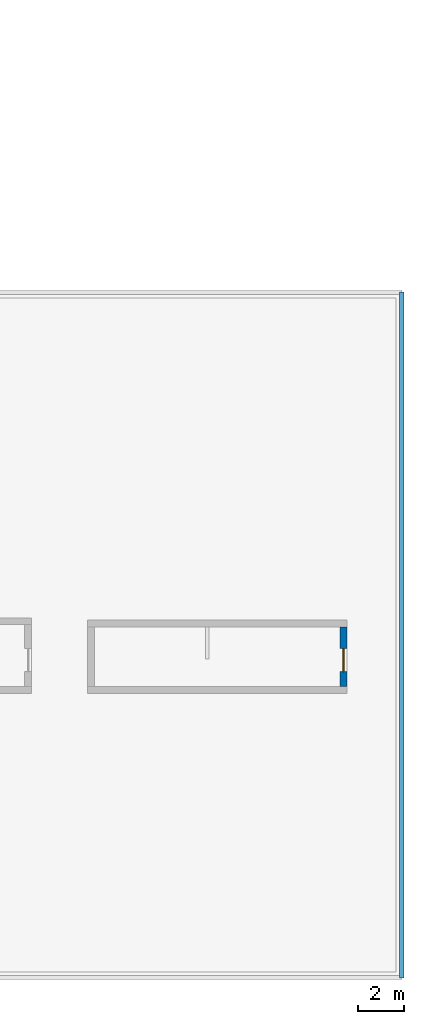
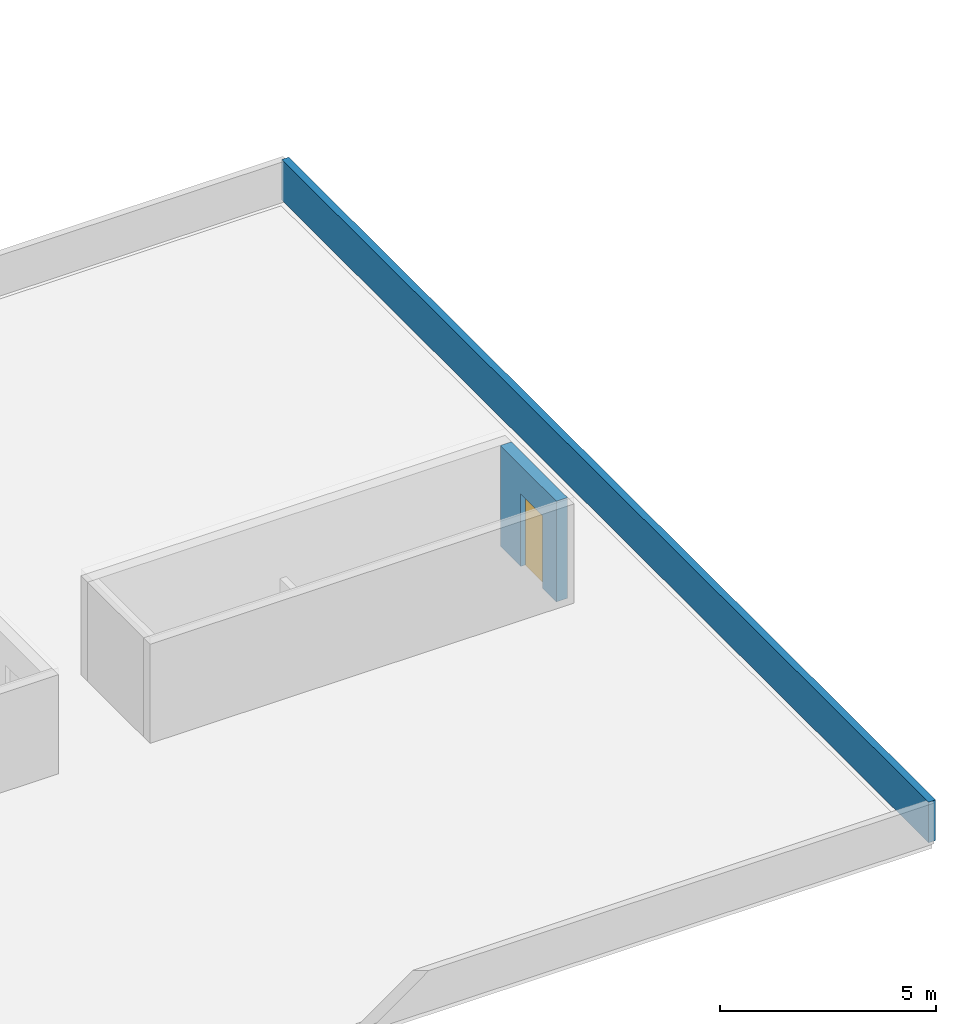
# One storey, part 13 of 17: 2 walls, 1 door, 1 opening.
"""IFC4 building model written with IfcOpenShell, lengths in metres."""

import ifcopenshell
import ifcopenshell.guid

model = None  # the IFC model being written
_history = None  # IfcOwnerHistory: only IFC2X3 demands one
_inside = {}  # id of a spatial element -> (the spatial element, [elements in it])
_under = {}  # id of a project, library or spatial element -> (it, [spatial elements below it])
_declared = {}  # id of a project -> (the project, [libraries it declares])
_typed = {}  # id of a type object -> (the type object, [elements of that type])
_made_of = {}  # id of a material, layer set ... -> (it, [elements and type objects made of it])


def new_model(schema):
    """Start an empty IFC model of exactly this schema.

    Asked for "IFC4X3", IfcOpenShell would pick the latest addendum, in which some entities
    have other attributes; the version numbers below select the first issue.
    IFC2X3 requires an IfcOwnerHistory on every rooted entity: one is made here for all.
    """
    global model, _history
    if schema == "IFC4X3":
        model = ifcopenshell.file(schema_version=(4, 3, 0, 0))
    else:
        model = ifcopenshell.file(schema=schema)
    _inside.clear()
    _under.clear()
    _declared.clear()
    _typed.clear()
    _made_of.clear()
    _history = None
    if model.schema == "IFC2X3":
        org = make("IfcOrganization", Name="unknown")
        user = make(
            "IfcPersonAndOrganization",
            ThePerson=make("IfcPerson", FamilyName="unknown"),
            TheOrganization=org,
        )
        app = make(
            "IfcApplication",
            ApplicationDeveloper=org,
            Version="unknown",
            ApplicationFullName="unknown",
            ApplicationIdentifier="unknown",
        )
        _history = make(
            "IfcOwnerHistory",
            OwningUser=user,
            OwningApplication=app,
            ChangeAction="ADDED",
            CreationDate=0,
        )
    return model


def make(cls, **values):
    """One entity of the class cls with the attributes given. An attribute that is None is left unset."""
    return model.create_entity(
        cls, **{name: value for name, value in values.items() if value is not None}
    )


def rooted(cls, **values):
    """An entity with a GlobalId (a new one), such as an element, a storey or a relation."""
    return make(cls, GlobalId=ifcopenshell.guid.new(), OwnerHistory=_history, **values)


def si_unit(unit_type, name, prefix=None):
    """IfcSIUnit, for example si_unit("LENGTHUNIT", "METRE", prefix="MILLI")."""
    return make("IfcSIUnit", UnitType=unit_type, Prefix=prefix, Name=name)


def assignment(units):
    """IfcUnitAssignment: the units of a project."""
    return None if units is None else make("IfcUnitAssignment", Units=units)


def point(xyz):
    """IfcCartesianPoint."""
    return None if xyz is None else make("IfcCartesianPoint", Coordinates=xyz)


def direction(xyz):
    """IfcDirection."""
    return None if xyz is None else make("IfcDirection", DirectionRatios=xyz)


def frame(location, z_axis=None, x_axis=None):
    """IfcAxis2Placement3D, a coordinate frame: its origin and axes. An axis left out is left unset."""
    return make(
        "IfcAxis2Placement3D",
        Location=point(location),
        Axis=direction(z_axis),
        RefDirection=direction(x_axis),
    )


def frame_2d(location, x_axis=None):
    """IfcAxis2Placement2D, a coordinate frame in the plane: its origin and x axis."""
    return make(
        "IfcAxis2Placement2D", Location=point(location), RefDirection=direction(x_axis)
    )


def origin():
    """The frame at (0, 0, 0) with its axes left unset."""
    return frame((0.0, 0.0, 0.0))


def place(relative_to, where):
    """IfcLocalPlacement: puts the frame where relative to a parent placement (None: the world)."""
    return make(
        "IfcLocalPlacement", PlacementRelTo=relative_to, RelativePlacement=where
    )


def context(
    kind, dimensions, precision=None, world=None, true_north=None, identifier=None
):
    """IfcGeometricRepresentationContext, for example the 3D "Model" context."""
    return make(
        "IfcGeometricRepresentationContext",
        ContextIdentifier=identifier,
        ContextType=kind,
        CoordinateSpaceDimension=dimensions,
        Precision=precision,
        WorldCoordinateSystem=world,
        TrueNorth=true_north,
    )


def subcontext(parent, identifier, kind, view, scale=None):
    """IfcGeometricRepresentationSubContext, for example "Body" below "Model"."""
    return make(
        "IfcGeometricRepresentationSubContext",
        ContextIdentifier=identifier,
        ContextType=kind,
        ParentContext=parent,
        TargetScale=scale,
        TargetView=view,
    )


def project(units=None, contexts=None):
    """IfcProject with its units and contexts."""
    return rooted(
        "IfcProject",
        Name="project",
        RepresentationContexts=contexts,
        UnitsInContext=assignment(units),
    )


def spatial(cls, under=None, at=None, **own):
    """A site, building, storey or space (cls), placed at a placement, below another one or the project."""
    s = rooted(cls, ObjectPlacement=at, **own)
    if under is not None:
        _under.setdefault(under.id(), (under, []))[1].append(s)
    return s


def profile(cls, at=None, kind="AREA", **sizes):
    """A parametric profile (cls). Its sizes go by their IFC names, for example OverallWidth=200.0."""
    return make(cls, ProfileType=kind, Position=at, **sizes)


def rectangle(**sizes):
    """IfcRectangleProfileDef."""
    return profile("IfcRectangleProfileDef", **sizes)


def extrude(swept, where, along, depth):
    """IfcExtrudedAreaSolid: the profile swept, set in the frame where, extruded along a direction by depth."""
    return make(
        "IfcExtrudedAreaSolid",
        SweptArea=swept,
        Position=where,
        ExtrudedDirection=direction(along),
        Depth=depth,
    )


def shape(context_of_items, identifier, shape_type, items):
    """IfcShapeRepresentation: the items that make up one representation, for example the "Body"."""
    return make(
        "IfcShapeRepresentation",
        ContextOfItems=context_of_items,
        RepresentationIdentifier=identifier,
        RepresentationType=shape_type,
        Items=items,
    )


def material(Name=None, Category=None):
    """IfcMaterial."""
    return make("IfcMaterial", Name=Name, Category=Category)


def layer(
    of_material, thickness, ventilated=None, Name=None, Category=None, Priority=None
):
    """IfcMaterialLayer: one layer of a wall or slab, of a material (None: an air gap)."""
    return make(
        "IfcMaterialLayer",
        Material=of_material,
        LayerThickness=thickness,
        IsVentilated=ventilated,
        Name=Name,
        Category=Category,
        Priority=Priority,
    )


def layer_set(layers, Name=None):
    """IfcMaterialLayerSet."""
    return make("IfcMaterialLayerSet", MaterialLayers=layers, LayerSetName=Name)


def made_of(thing, what):
    """Note that an element or type object is made of a material, layer set ...; save() writes the relation."""
    if what is not None:
        _made_of.setdefault(what.id(), (what, []))[1].append(thing)
    return thing


def type_object(cls, material=None, **own):
    """A type object (cls), such as IfcWallType, which elements share."""
    return made_of(rooted(cls, **own), material)


def element(
    cls,
    number,
    at=None,
    inside=None,
    cuts=None,
    type_object=None,
    material=None,
    context=None,
    identifier="Body",
    shape_type=None,
    held_by="IfcProductDefinitionShape",
    body=None,
    shapes=None,
    **own,
):
    """One element of the class cls, such as IfcWall. Its Tag is "e" and its number.

    at: its placement. inside: the storey or other place that contains it. cuts: it is an
    opening in that element (IfcRelVoidsElement). A single representation is given by context,
    identifier, shape_type and body (its items); several are given by shapes. held_by: the class
    of the entity that holds the representations. save() writes the other relations.
    """
    e = rooted(cls, Tag="e%d" % number, ObjectPlacement=at, **own)
    if body is not None:
        shapes = [shape(context, identifier, shape_type, body)]
    if shapes is not None:
        e.Representation = make(held_by, Representations=shapes)
    if inside is not None:
        _inside.setdefault(inside.id(), (inside, []))[1].append(e)
    if cuts is not None:
        rooted(
            "IfcRelVoidsElement", RelatingBuildingElement=cuts, RelatedOpeningElement=e
        )
    if type_object is not None:
        _typed.setdefault(type_object.id(), (type_object, []))[1].append(e)
    return made_of(e, material)


def fill(opening, filler):
    """IfcRelFillsElement: the door or window that sits in an opening."""
    return rooted(
        "IfcRelFillsElement",
        RelatingOpeningElement=opening,
        RelatedBuildingElement=filler,
    )


def aggregate(whole, parts):
    """IfcRelAggregates: a whole, such as a stair, and the parts it consists of."""
    return rooted("IfcRelAggregates", RelatingObject=whole, RelatedObjects=parts)


def save(model, path):
    """Write the relations noted so far, then the file.

    IfcRelAggregates (storeys below a building ...), IfcRelContainedInSpatialStructure (elements
    in a storey), IfcRelDefinesByType, IfcRelAssociatesMaterial and IfcRelDeclares: one each for
    every whole, place, type object, material and project.
    """
    for whole, parts in _under.values():
        aggregate(whole, parts)
    for where, things in _inside.values():
        rooted(
            "IfcRelContainedInSpatialStructure",
            RelatedElements=things,
            RelatingStructure=where,
        )
    for kind, things in _typed.values():
        rooted("IfcRelDefinesByType", RelatedObjects=things, RelatingType=kind)
    for what, things in _made_of.values():
        rooted("IfcRelAssociatesMaterial", RelatedObjects=things, RelatingMaterial=what)
    for by, libraries in _declared.values():
        rooted("IfcRelDeclares", RelatingContext=by, RelatedDefinitions=libraries)
    model.write(path)


model = new_model("IFC4")

# Units and contexts
model_context = context("Model", 3, precision=1e-05, world=origin(), true_north=direction((0.0, 1.0)))
body_context = subcontext(model_context, "Body", "Model", "MODEL_VIEW")
ifc_project = project(units=[si_unit("LENGTHUNIT", "METRE"), si_unit("AREAUNIT", "SQUARE_METRE"), si_unit("VOLUMEUNIT", "CUBIC_METRE"), si_unit("PLANEANGLEUNIT", "RADIAN"), si_unit("MASSUNIT", "GRAM", prefix="KILO"), si_unit("POWERUNIT", "WATT"), si_unit("THERMODYNAMICTEMPERATUREUNIT", "KELVIN")], contexts=[model_context])

# Site, building, storey
site_placement = place(None, origin())
site = spatial("IfcSite", under=ifc_project, at=site_placement, CompositionType="ELEMENT")
building_placement = place(site_placement, origin())
building = spatial("IfcBuilding", under=site, at=building_placement, Name="Ruvembo Vaulted Housing Court", CompositionType="ELEMENT")
storey_placement = place(building_placement, frame((0.0, 0.0, 30.10009765625)))
storey = spatial("IfcBuildingStorey", under=building, at=storey_placement, Name="L09", CompositionType="ELEMENT", Elevation=30.10009765625)

# Wall, opening, door
ifc_material_1 = material(Name="Concrete C35/45", Category="concrete")
ifc_layer_1 = layer(ifc_material_1, 0.300048828125, Name="Concrete C35/45")
ifc_layer_set_1 = layer_set([ifc_layer_1], Name="Concrete C35/45")
wall_type_1 = type_object("IfcWallType", Name="WL-CORE-300", PredefinedType="SHEAR", material=ifc_layer_set_1)
wall_1_placement = place(storey_placement, frame((129.449951171875, 12.75, 0.0), z_axis=(0.0, 0.0, 1.0), x_axis=(0.0, 1.0, 0.0)))
wall_1 = element("IfcWall", 1, at=wall_1_placement, inside=storey, type_object=wall_type_1, Name="Core C2 L09 Headhouse East Wall", PredefinedType="SHEAR", context=body_context, shape_type="SweptSolid", body=[
    extrude(rectangle(XDim=2.60009765625, YDim=0.300048828125, at=frame_2d((1.300048828125, 0.0))), origin(), (0.0, 0.0, 1.0), 2.849853515625),
])
opening_placement = place(wall_1_placement, frame((0.64990234375, 0.0, 0.0)))
opening = element("IfcOpeningElement", 2, at=opening_placement, cuts=wall_1, Name="Opening HD1", PredefinedType="OPENING", context=body_context, shape_type="SweptSolid", body=[
    extrude(rectangle(XDim=1.0, YDim=2.050048828125, at=frame_2d((0.5, 1.02490234375))), frame((0.0, 0.159912109375, 0.0), z_axis=(0.0, -1.0, 0.0), x_axis=(1.0, 0.0, 0.0)), (0.0, 0.0, 1.0), 0.320068359375),
])
ifc_material_2 = material(Name="Thermally Broken Glazed Aluminium", Category="aluminium")
door_type = type_object("IfcDoorType", Name="DR-HEADHOUSE-1000x2050", OperationType="NOTDEFINED", PredefinedType="TRAPDOOR", material=ifc_material_2)
door_placement = place(opening_placement, frame((1.0, 0.0, 0.0), z_axis=(0.0, 0.0, 1.0), x_axis=(-1.0, 0.0, 0.0)))
door = element("IfcDoor", 3, at=door_placement, inside=storey, type_object=door_type, Name="Core C2 L09 Stair Headhouse Roof Door", OperationType="SINGLE_SWING_RIGHT", OverallHeight=2.050048828125, OverallWidth=1.0, PredefinedType="TRAPDOOR", context=body_context, shape_type="SweptSolid", body=[
    extrude(rectangle(XDim=1.0, YDim=2.050048828125, at=frame_2d((0.5, 1.02490234375))), frame((0.0, 0.02490234375, 0.0), z_axis=(0.0, -1.0, 0.0), x_axis=(1.0, 0.0, 0.0)), (0.0, 0.0, 1.0), 0.050048828125),
])
fill(opening, door)

# Wall
ifc_material_3 = material(Name="Concrete C30/37", Category="concrete")
ifc_layer_2 = layer(ifc_material_3, 0.18994140625, Name="Concrete C30/37")
ifc_layer_set_2 = layer_set([ifc_layer_2], Name="Concrete C30/37")
wall_type_2 = type_object("IfcWallType", Name="WL-PARAPET-190", PredefinedType="PARAPET", material=ifc_layer_set_2)
wall_2_placement = place(storey_placement, frame((132.0, 0.0, 0.0), z_axis=(0.0, 0.0, 1.0), x_axis=(0.0, 1.0, 0.0)))
element("IfcWall", 4, at=wall_2_placement, inside=storey, type_object=wall_type_2, Name="Block C L09 Roof Parapet 2", PredefinedType="PARAPET", context=body_context, shape_type="SweptSolid", body=[
    extrude(rectangle(XDim=30.0, YDim=0.18994140625, at=frame_2d((15.0, 0.0))), origin(), (0.0, 0.0, 1.0), 1.14990234375),
])

save(model, "model.ifc")
